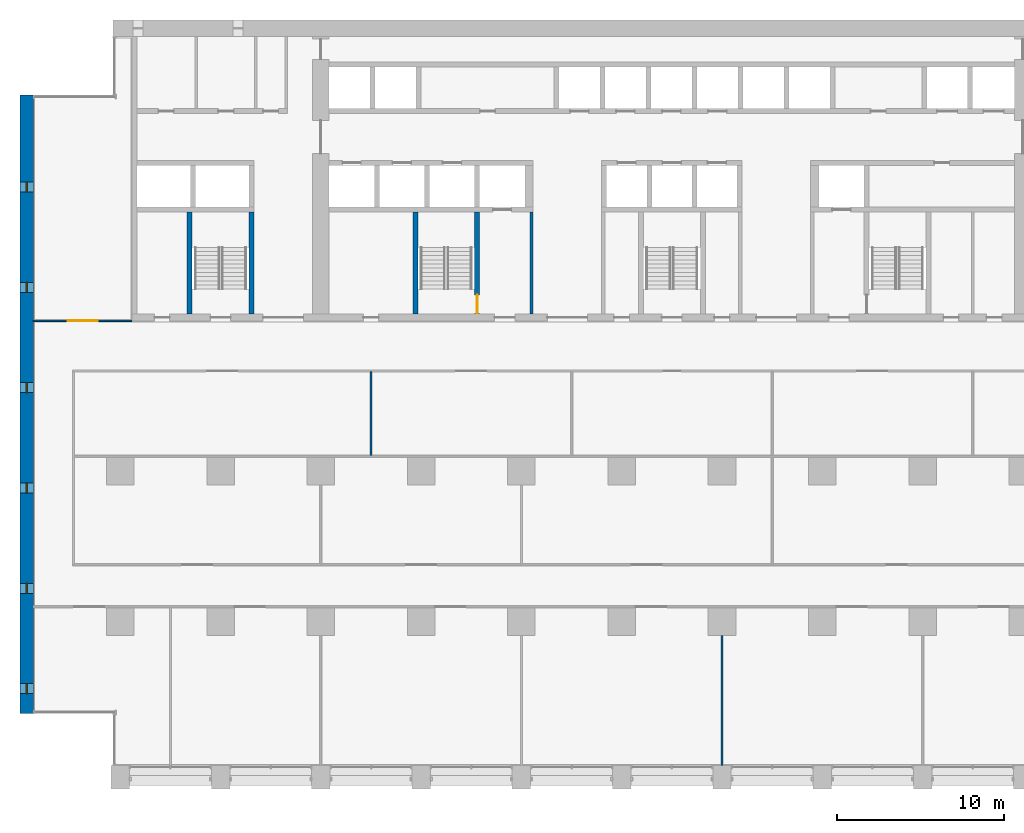
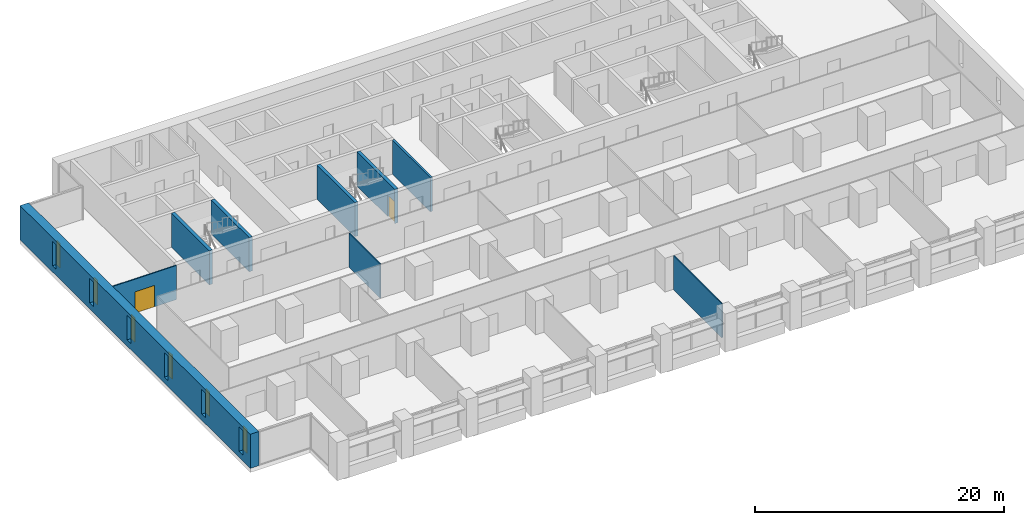
# One storey, part 8 of 18: 9 walls, 6 windows, 2 doors, 8 openings.
"""IFC4 building model written with IfcOpenShell, lengths in metres."""

from ifc_helpers import new_model, si_unit, direction, frame, frame_2d, origin, place, context, subcontext, project, spatial, rectangle, extrude, material, layer, layer_set, type_object, element, fill, save


model = new_model("IFC4")

# Units and contexts
model_context = context("Model", 3, precision=1e-05, world=origin(), true_north=direction((0.0, 1.0)))
body_context = subcontext(model_context, "Body", "Model", "MODEL_VIEW")
ifc_project = project(units=[si_unit("LENGTHUNIT", "METRE"), si_unit("AREAUNIT", "SQUARE_METRE"), si_unit("VOLUMEUNIT", "CUBIC_METRE"), si_unit("PLANEANGLEUNIT", "RADIAN"), si_unit("MASSUNIT", "GRAM", prefix="KILO")], contexts=[model_context])

# Site, building, storey
site_placement = place(None, origin())
site = spatial("IfcSite", under=ifc_project, at=site_placement, CompositionType="ELEMENT")
building_placement = place(site_placement, origin())
building = spatial("IfcBuilding", under=site, at=building_placement, Name="Calvaro Tower", CompositionType="ELEMENT")
storey_placement = place(building_placement, frame((0.0, 0.0, 56.25)))
storey = spatial("IfcBuildingStorey", under=building, at=storey_placement, Name="L13", CompositionType="ELEMENT", Elevation=56.25)

# Walls
ifc_material_1 = material(Name="Blockwork partition", Category="masonry")
ifc_layer_1 = layer(ifc_material_1, 0.199951171875)
ifc_layer_set_1 = layer_set([ifc_layer_1], Name="Blockwork partition")
wall_type_1 = type_object("IfcWallType", Name="Core partition 200 REI 120", PredefinedType="PARTITIONING", material=ifc_layer_set_1)
wall_1_placement = place(storey_placement, frame((30.60009765625, 28.39990234375, 0.0), z_axis=(0.0, 0.0, 1.0), x_axis=(0.0, 1.0, 0.0)))
element("IfcWall", 1, at=wall_1_placement, inside=storey, type_object=wall_type_1, Name="Core partition", PredefinedType="PARTITIONING", context=body_context, shape_type="SweptSolid", body=[
    extrude(rectangle(XDim=6.10009765625, YDim=0.199951171875, at=frame_2d((3.050048828125, 0.0))), origin(), (0.0, 0.0, 1.0), 3.35009765625),
])
ifc_material_2 = material(Name="Concrete C80/95", Category="concrete")
ifc_layer_2 = layer(ifc_material_2, 0.300048828125)
ifc_layer_set_2 = layer_set([ifc_layer_2], Name="Concrete C80/95")
wall_type_2 = type_object("IfcWallType", Name="Core wall C80/95 300", PredefinedType="SHEAR", material=ifc_layer_set_2)
for number, where, z_axis, x_axis, name in (
    (2, (10.14990234375, 28.39990234375, 0.0), (0.0, 0.0, 1.0), (0.0, 1.0, 0.0), "Core wall, stair enclosure"),
    (3, (13.85009765625, 28.39990234375, 0.0), (0.0, 0.0, 1.0), (0.0, 1.0, 0.0), "Core wall, stair enclosure"),
    (4, (23.64990234375, 28.39990234375, 0.0), (0.0, 0.0, 1.0), (0.0, 1.0, 0.0), "Core wall, stair enclosure"),
):
    element("IfcWall", number, at=place(storey_placement, frame(where, z_axis=z_axis, x_axis=x_axis)), inside=storey, type_object=wall_type_2, Name=name, PredefinedType="SHEAR", context=body_context, shape_type="SweptSolid", body=[
        extrude(rectangle(XDim=6.10009765625, YDim=0.300048828125, at=frame_2d((3.050048828125, 0.0))), origin(), (0.0, 0.0, 1.0), 3.35009765625),
    ])

# Wall, opening, door
wall_2_placement = place(storey_placement, frame((27.35009765625, 28.39990234375, 0.0), z_axis=(0.0, 0.0, 1.0), x_axis=(0.0, 1.0, 0.0)))
wall_2 = element("IfcWall", 5, at=wall_2_placement, inside=storey, type_object=wall_type_2, Name="Core wall, stair enclosure", PredefinedType="SHEAR", context=body_context, shape_type="SweptSolid", body=[
    extrude(rectangle(XDim=6.10009765625, YDim=0.300048828125, at=frame_2d((3.050048828125, 0.0))), origin(), (0.0, 0.0, 1.0), 3.35009765625),
])
opening_1_placement = place(wall_2_placement, frame((0.050048828125, 0.0, 0.0)))
opening_1 = element("IfcOpeningElement", 6, at=opening_1_placement, cuts=wall_2, Name="Opening FD11D", PredefinedType="OPENING", context=body_context, shape_type="SweptSolid", body=[
    extrude(rectangle(XDim=1.10009765625, YDim=2.10009765625, at=frame_2d((0.550048828125, 1.050048828125))), frame((0.0, 0.159912109375, 0.0), z_axis=(0.0, -1.0, 0.0), x_axis=(1.0, 0.0, 0.0)), (0.0, 0.0, 1.0), 0.320068359375),
])
ifc_material_3 = material(Name="Steel door set", Category="steel")
door_type_1 = type_object("IfcDoorType", Name="Fire door 1100 FD30S", OperationType="SINGLE_SWING_LEFT", PredefinedType="DOOR", material=ifc_material_3)
door_1_placement = place(opening_1_placement, origin())
door_1 = element("IfcDoor", 7, at=door_1_placement, inside=storey, type_object=door_type_1, Name="Fire door", OperationType="SINGLE_SWING_LEFT", OverallHeight=2.10009765625, OverallWidth=1.10009765625, PredefinedType="DOOR", context=body_context, shape_type="SweptSolid", body=[
    extrude(rectangle(XDim=1.10009765625, YDim=2.10009765625, at=frame_2d((0.550048828125, 1.050048828125))), frame((0.0, 0.02490234375, 0.0), z_axis=(0.0, -1.0, 0.0), x_axis=(1.0, 0.0, 0.0)), (0.0, 0.0, 1.0), 0.050048828125),
])
fill(opening_1, door_1)

# Wall, openings, windows
ifc_material_4 = material(Name="Concrete C80/95", Category="concrete")
ifc_layer_3 = layer(ifc_material_4, 0.800048828125)
ifc_layer_set_3 = layer_set([ifc_layer_3], Name="Concrete C80/95")
wall_type_3 = type_object("IfcWallType", Name="End wall 800 C80/95", PredefinedType="SHEAR", material=ifc_layer_set_3)
wall_3_placement = place(storey_placement, frame((0.39990234375, 4.5, 0.0), z_axis=(0.0, 0.0, 1.0), x_axis=(0.0, 1.0, 0.0)))
wall_3 = element("IfcWall", 8, at=wall_3_placement, inside=storey, type_object=wall_type_3, Name="End shear wall", PredefinedType="SHEAR", context=body_context, shape_type="SweptSolid", body=[
    extrude(rectangle(XDim=37.0, YDim=0.800048828125, at=frame_2d((18.5, 0.0))), origin(), (0.0, 0.0, 1.0), 3.35009765625),
])
opening_2_placement = place(wall_3_placement, frame((1.199951171875, 0.0, 0.60009765625)))
opening_2 = element("IfcOpeningElement", 9, at=opening_2_placement, cuts=wall_3, Name="Opening WW01", PredefinedType="OPENING", context=body_context, shape_type="SweptSolid", body=[
    extrude(rectangle(XDim=0.60009765625, YDim=2.39990234375, at=frame_2d((0.300048828125, 1.199951171875))), frame((0.0, 0.409912109375, 0.0), z_axis=(0.0, -1.0, 0.0), x_axis=(1.0, 0.0, 0.0)), (0.0, 0.0, 1.0), 0.820068359375),
])
opening_3_placement = place(wall_3_placement, frame((7.199951171875, 0.0, 0.60009765625)))
opening_3 = element("IfcOpeningElement", 10, at=opening_3_placement, cuts=wall_3, Name="Opening WW02", PredefinedType="OPENING", context=body_context, shape_type="SweptSolid", body=[
    extrude(rectangle(XDim=0.60009765625, YDim=2.39990234375, at=frame_2d((0.300048828125, 1.199951171875))), frame((0.0, 0.409912109375, 0.0), z_axis=(0.0, -1.0, 0.0), x_axis=(1.0, 0.0, 0.0)), (0.0, 0.0, 1.0), 0.820068359375),
])
opening_4_placement = place(wall_3_placement, frame((13.199951171875, 0.0, 0.60009765625)))
opening_4 = element("IfcOpeningElement", 11, at=opening_4_placement, cuts=wall_3, Name="Opening WW03", PredefinedType="OPENING", context=body_context, shape_type="SweptSolid", body=[
    extrude(rectangle(XDim=0.60009765625, YDim=2.39990234375, at=frame_2d((0.300048828125, 1.199951171875))), frame((0.0, 0.409912109375, 0.0), z_axis=(0.0, -1.0, 0.0), x_axis=(1.0, 0.0, 0.0)), (0.0, 0.0, 1.0), 0.820068359375),
])
opening_5_placement = place(wall_3_placement, frame((19.199951171875, 0.0, 0.60009765625)))
opening_5 = element("IfcOpeningElement", 12, at=opening_5_placement, cuts=wall_3, Name="Opening WW04", PredefinedType="OPENING", context=body_context, shape_type="SweptSolid", body=[
    extrude(rectangle(XDim=0.60009765625, YDim=2.39990234375, at=frame_2d((0.300048828125, 1.199951171875))), frame((0.0, 0.409912109375, 0.0), z_axis=(0.0, -1.0, 0.0), x_axis=(1.0, 0.0, 0.0)), (0.0, 0.0, 1.0), 0.820068359375),
])
opening_6_placement = place(wall_3_placement, frame((25.199951171875, 0.0, 0.60009765625)))
opening_6 = element("IfcOpeningElement", 13, at=opening_6_placement, cuts=wall_3, Name="Opening WW05", PredefinedType="OPENING", context=body_context, shape_type="SweptSolid", body=[
    extrude(rectangle(XDim=0.60009765625, YDim=2.39990234375, at=frame_2d((0.300048828125, 1.199951171875))), frame((0.0, 0.409912109375, 0.0), z_axis=(0.0, -1.0, 0.0), x_axis=(1.0, 0.0, 0.0)), (0.0, 0.0, 1.0), 0.820068359375),
])
opening_7_placement = place(wall_3_placement, frame((31.199951171875, 0.0, 0.60009765625)))
opening_7 = element("IfcOpeningElement", 14, at=opening_7_placement, cuts=wall_3, Name="Opening WW06", PredefinedType="OPENING", context=body_context, shape_type="SweptSolid", body=[
    extrude(rectangle(XDim=0.60009765625, YDim=2.39990234375, at=frame_2d((0.300048828125, 1.199951171875))), frame((0.0, 0.409912109375, 0.0), z_axis=(0.0, -1.0, 0.0), x_axis=(1.0, 0.0, 0.0)), (0.0, 0.0, 1.0), 0.820068359375),
])
ifc_material_5 = material(Name="Glass", Category="glass")
window_type = type_object("IfcWindowType", Name="Slit window 600 x 2400", PartitioningType="SINGLE_PANEL", PredefinedType="WINDOW", material=ifc_material_5)
window_1_placement = place(opening_2_placement, origin())
window_1 = element("IfcWindow", 15, at=window_1_placement, inside=storey, type_object=window_type, Name="Window WW01", OverallHeight=2.39990234375, OverallWidth=0.60009765625, PartitioningType="SINGLE_PANEL", PredefinedType="WINDOW", context=body_context, shape_type="SweptSolid", body=[
    extrude(rectangle(XDim=0.60009765625, YDim=2.39990234375, at=frame_2d((0.300048828125, 1.199951171875))), frame((0.0, 0.030029296875, 0.0), z_axis=(0.0, -1.0, 0.0), x_axis=(1.0, 0.0, 0.0)), (0.0, 0.0, 1.0), 0.06005859375),
])
fill(opening_2, window_1)
window_2_placement = place(opening_3_placement, origin())
window_2 = element("IfcWindow", 16, at=window_2_placement, inside=storey, type_object=window_type, Name="Window WW02", OverallHeight=2.39990234375, OverallWidth=0.60009765625, PartitioningType="SINGLE_PANEL", PredefinedType="WINDOW", context=body_context, shape_type="SweptSolid", body=[
    extrude(rectangle(XDim=0.60009765625, YDim=2.39990234375, at=frame_2d((0.300048828125, 1.199951171875))), frame((0.0, 0.030029296875, 0.0), z_axis=(0.0, -1.0, 0.0), x_axis=(1.0, 0.0, 0.0)), (0.0, 0.0, 1.0), 0.06005859375),
])
fill(opening_3, window_2)
window_3_placement = place(opening_4_placement, origin())
window_3 = element("IfcWindow", 17, at=window_3_placement, inside=storey, type_object=window_type, Name="Window WW03", OverallHeight=2.39990234375, OverallWidth=0.60009765625, PartitioningType="SINGLE_PANEL", PredefinedType="WINDOW", context=body_context, shape_type="SweptSolid", body=[
    extrude(rectangle(XDim=0.60009765625, YDim=2.39990234375, at=frame_2d((0.300048828125, 1.199951171875))), frame((0.0, 0.030029296875, 0.0), z_axis=(0.0, -1.0, 0.0), x_axis=(1.0, 0.0, 0.0)), (0.0, 0.0, 1.0), 0.06005859375),
])
fill(opening_4, window_3)
window_4_placement = place(opening_5_placement, origin())
window_4 = element("IfcWindow", 18, at=window_4_placement, inside=storey, type_object=window_type, Name="Window WW04", OverallHeight=2.39990234375, OverallWidth=0.60009765625, PartitioningType="SINGLE_PANEL", PredefinedType="WINDOW", context=body_context, shape_type="SweptSolid", body=[
    extrude(rectangle(XDim=0.60009765625, YDim=2.39990234375, at=frame_2d((0.300048828125, 1.199951171875))), frame((0.0, 0.030029296875, 0.0), z_axis=(0.0, -1.0, 0.0), x_axis=(1.0, 0.0, 0.0)), (0.0, 0.0, 1.0), 0.06005859375),
])
fill(opening_5, window_4)
window_5_placement = place(opening_6_placement, origin())
window_5 = element("IfcWindow", 19, at=window_5_placement, inside=storey, type_object=window_type, Name="Window WW05", OverallHeight=2.39990234375, OverallWidth=0.60009765625, PartitioningType="SINGLE_PANEL", PredefinedType="WINDOW", context=body_context, shape_type="SweptSolid", body=[
    extrude(rectangle(XDim=0.60009765625, YDim=2.39990234375, at=frame_2d((0.300048828125, 1.199951171875))), frame((0.0, 0.030029296875, 0.0), z_axis=(0.0, -1.0, 0.0), x_axis=(1.0, 0.0, 0.0)), (0.0, 0.0, 1.0), 0.06005859375),
])
fill(opening_6, window_5)
window_6_placement = place(opening_7_placement, origin())
window_6 = element("IfcWindow", 20, at=window_6_placement, inside=storey, type_object=window_type, Name="Window WW06", OverallHeight=2.39990234375, OverallWidth=0.60009765625, PartitioningType="SINGLE_PANEL", PredefinedType="WINDOW", context=body_context, shape_type="SweptSolid", body=[
    extrude(rectangle(XDim=0.60009765625, YDim=2.39990234375, at=frame_2d((0.300048828125, 1.199951171875))), frame((0.0, 0.030029296875, 0.0), z_axis=(0.0, -1.0, 0.0), x_axis=(1.0, 0.0, 0.0)), (0.0, 0.0, 1.0), 0.06005859375),
])
fill(opening_7, window_6)

# Wall, opening, door
ifc_material_6 = material(Name="Plasterboard on steel studs", Category="steel")
ifc_layer_4 = layer(ifc_material_6, 0.10009765625)
ifc_layer_set_4 = layer_set([ifc_layer_4], Name="Plasterboard on steel studs")
wall_type_4 = type_object("IfcWallType", Name="Partition 100", PredefinedType="PARTITIONING", material=ifc_layer_set_4)
wall_4_placement = place(storey_placement, frame((0.800048828125, 28.0, 0.0), z_axis=(0.0, 0.0, 1.0), x_axis=(1.0, 0.0, 0.0)))
wall_4 = element("IfcWall", 21, at=wall_4_placement, inside=storey, type_object=wall_type_4, Name="Partition T11.W005", PredefinedType="PARTITIONING", context=body_context, shape_type="SweptSolid", body=[
    extrude(rectangle(XDim=5.89990234375, YDim=0.10009765625, at=frame_2d((2.949951171875, 0.0))), origin(), (0.0, 0.0, 1.0), 3.35009765625),
])
opening_8_placement = place(wall_4_placement, frame((2.050048828125, 0.0, 0.0)))
opening_8 = element("IfcOpeningElement", 22, at=opening_8_placement, cuts=wall_4, Name="Opening T11.018", PredefinedType="OPENING", context=body_context, shape_type="SweptSolid", body=[
    extrude(rectangle(XDim=1.800048828125, YDim=2.10009765625, at=frame_2d((0.89990234375, 1.050048828125))), frame((0.0, 0.06005859375, 0.0), z_axis=(0.0, -1.0, 0.0), x_axis=(1.0, 0.0, 0.0)), (0.0, 0.0, 1.0), 0.1201171875),
])
ifc_material_7 = material(Name="Timber", Category="wood")
door_type_2 = type_object("IfcDoorType", Name="Internal double door 1800 x 2100", OperationType="DOUBLE_DOOR_SINGLE_SWING", PredefinedType="DOOR", material=ifc_material_7)
door_2_placement = place(opening_8_placement, origin())
door_2 = element("IfcDoor", 23, at=door_2_placement, inside=storey, type_object=door_type_2, Name="Door T11.018", OperationType="DOUBLE_DOOR_SINGLE_SWING", OverallHeight=2.10009765625, OverallWidth=1.800048828125, PredefinedType="DOOR", context=body_context, shape_type="SweptSolid", body=[
    extrude(rectangle(XDim=1.800048828125, YDim=2.10009765625, at=frame_2d((0.89990234375, 1.050048828125))), frame((0.0, 0.02490234375, 0.0), z_axis=(0.0, -1.0, 0.0), x_axis=(1.0, 0.0, 0.0)), (0.0, 0.0, 1.0), 0.050048828125),
])
fill(opening_8, door_2)

# Walls
wall_5_placement = place(storey_placement, frame((21.0, 19.949951171875, 0.0), z_axis=(0.0, 0.0, 1.0), x_axis=(0.0, 1.0, 0.0)))
element("IfcWall", 24, at=wall_5_placement, inside=storey, type_object=wall_type_4, Name="Partition T11.W011", PredefinedType="PARTITIONING", context=body_context, shape_type="SweptSolid", body=[
    extrude(rectangle(XDim=5.0, YDim=0.10009765625, at=frame_2d((2.5, 0.0))), origin(), (0.0, 0.0, 1.0), 3.35009765625),
])
wall_6_placement = place(storey_placement, frame((42.0, 1.39990234375, 0.0), z_axis=(0.0, 0.0, 1.0), x_axis=(0.0, 1.0, 0.0)))
element("IfcWall", 25, at=wall_6_placement, inside=storey, type_object=wall_type_4, Name="Partition T11.W015", PredefinedType="PARTITIONING", context=body_context, shape_type="SweptSolid", body=[
    extrude(rectangle(XDim=7.775146484375, YDim=0.10009765625, at=frame_2d((3.8876953125, 0.0))), origin(), (0.0, 0.0, 1.0), 3.35009765625),
])

save(model, "model.ifc")
